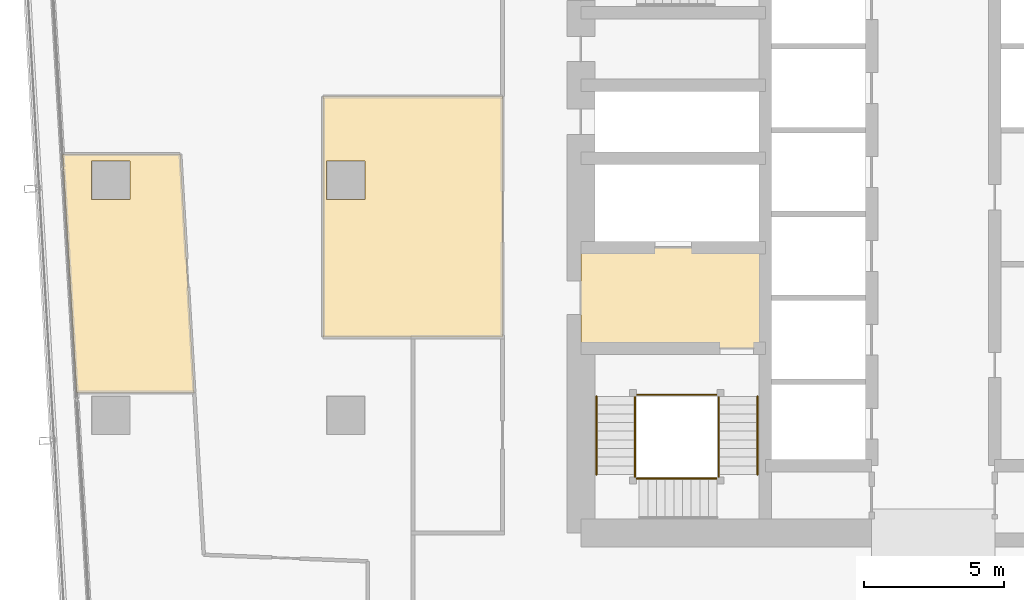
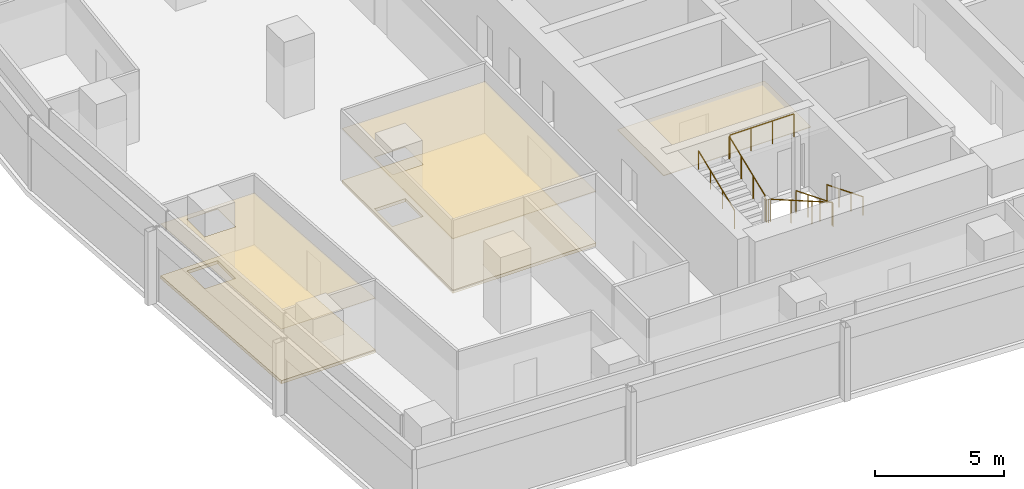
# One storey, part 28 of 33: 9 railings, 5 coverings.
"""IFC4 building model written with IfcOpenShell, lengths in metres."""

from ifc_helpers import new_model, si_unit, direction, frame, origin, origin_2d, place, context, subcontext, project, spatial, polyline, circle, outline, extrude, material, layer, layer_set, type_object, element, save


model = new_model("IFC4")

# Units and contexts
model_context = context("Model", 3, precision=1e-05, world=origin(), true_north=direction((0.0, 1.0)))
body_context = subcontext(model_context, "Body", "Model", "MODEL_VIEW")
ifc_project = project(units=[si_unit("LENGTHUNIT", "METRE"), si_unit("AREAUNIT", "SQUARE_METRE"), si_unit("VOLUMEUNIT", "CUBIC_METRE"), si_unit("PLANEANGLEUNIT", "RADIAN"), si_unit("MASSUNIT", "GRAM", prefix="KILO")], contexts=[model_context])

# Site, building, storey
site_placement = place(None, origin())
site = spatial("IfcSite", under=ifc_project, at=site_placement, CompositionType="ELEMENT")
building_placement = place(site_placement, origin())
building = spatial("IfcBuilding", under=site, at=building_placement, Name="Rekha Terrace Tower", CompositionType="ELEMENT")
storey_placement = place(building_placement, frame((0.0, 0.0, 206.449951171875)))
storey = spatial("IfcBuildingStorey", under=building, at=storey_placement, Name="L52", CompositionType="ELEMENT", Elevation=206.449951171875)

# Coverings
ifc_material_1 = material(Name="Mineral fibre tile in exposed grid", Category="finish")
ifc_layer_1 = layer(ifc_material_1, 0.02001953125)
ifc_layer_set_1 = layer_set([ifc_layer_1], Name="Mineral fibre tile in exposed grid")
covering_type_1 = type_object("IfcCoveringType", Name="CL1 600x1200 office grid ceiling", PredefinedType="CEILING", material=ifc_layer_set_1)
covering_1_placement = place(storey_placement, frame((0.0, 0.0, 2.580078125)))
element("IfcCovering", 1, at=covering_1_placement, inside=storey, type_object=covering_type_1, Name="Ceiling L52-09", PredefinedType="CEILING", context=body_context, shape_type="SweptSolid", body=[
    extrude(outline(polyline([(10.8779296875, 34.535888671875), (6.6708984375, 34.535888671875), (7.172119140625, 26.02392578125), (11.37890625, 26.02392578125), (10.8779296875, 34.535888671875)]), holes=[polyline([(9.090087890625, 34.2900390625), (9.090087890625, 32.909912109375), (7.7099609375, 32.909912109375), (7.7099609375, 34.2900390625), (9.090087890625, 34.2900390625)])]), origin(), (0.0, 0.0, 1.0), 0.02001953125),
])
covering_2_placement = place(storey_placement, frame((0.0, 0.0, 2.580078125)))
element("IfcCovering", 2, at=covering_2_placement, inside=storey, type_object=covering_type_1, Name="Ceiling L52-12", PredefinedType="CEILING", context=body_context, shape_type="SweptSolid", body=[
    extrude(outline(polyline([(22.39990234375, 36.59912109375), (15.989013671875, 36.59912109375), (15.989013671875, 28.0), (22.39990234375, 28.0), (22.39990234375, 36.59912109375)]), holes=[polyline([(17.489990234375, 32.909912109375), (16.110107421875, 32.909912109375), (16.110107421875, 34.2900390625), (17.489990234375, 34.2900390625), (17.489990234375, 32.909912109375)])]), origin(), (0.0, 0.0, 1.0), 0.02001953125),
])
ifc_material_2 = material(Name="Powder-coated aluminium pan", Category="aluminium")
ifc_layer_2 = layer(ifc_material_2, 0.030029296875)
ifc_layer_set_2 = layer_set([ifc_layer_2], Name="Powder-coated aluminium pan")
covering_type_2 = type_object("IfcCoveringType", Name="CL3 300x1200 metal pan ceiling", PredefinedType="CEILING", material=ifc_layer_set_2)
covering_3_placement = place(storey_placement, frame((0.0, 0.0, 2.570068359375)))
element("IfcCovering", 3, at=covering_3_placement, inside=storey, type_object=covering_type_2, Name="Ceiling L52-FLB1", PredefinedType="CEILING", context=body_context, shape_type="SweptSolid", body=[
    extrude(outline(polyline([(31.800048828125, 31.199951171875), (25.199951171875, 31.199951171875), (25.199951171875, 27.60009765625), (31.800048828125, 27.60009765625), (31.800048828125, 31.199951171875)])), origin(), (0.0, 0.0, 1.0), 0.030029296875),
])

# Railings
ifc_material_3 = material(Name="Stainless steel balustrade", Category="steel")
railing_type_1 = type_object("IfcRailingType", Name="GR1 1100 stair guard", PredefinedType="GUARDRAIL", material=ifc_material_3)
railing_1_placement = place(storey_placement, frame((30.135009765625, 25.875, 0.125)))
element("IfcRailing", 4, at=railing_1_placement, inside=storey, type_object=railing_type_1, Name="Guard ST1 L52 flight 1", PredefinedType="GUARDRAIL", context=body_context, shape_type="SweptSolid", body=[
    extrude(circle(Radius=0.02392578125, at=origin_2d()), frame((0.0, 0.0, 1.076171875), z_axis=(0.0, -0.927443287984, 0.373963831907), x_axis=(1.0, 0.0, 0.0)), (0.0, 0.0, 1.0), 3.00830078125),
    extrude(circle(Radius=0.02099609375, at=origin_2d()), origin(), (0.0, 0.0, 1.0), 1.052001953125),
    extrude(circle(Radius=0.02099609375, at=origin_2d()), frame((0.0, -0.929931640625, 0.375)), (0.0, 0.0, 1.0), 1.052001953125),
    extrude(circle(Radius=0.02099609375, at=origin_2d()), frame((0.0, -1.860107421875, 0.75)), (0.0, 0.0, 1.0), 1.052001953125),
    extrude(circle(Radius=0.02099609375, at=origin_2d()), frame((0.0, -2.7900390625, 1.125)), (0.0, 0.0, 1.0), 1.052001953125),
])
railing_2_placement = place(storey_placement, frame((30.074951171875, 22.93994140625, 1.375)))
element("IfcRailing", 5, at=railing_2_placement, inside=storey, type_object=railing_type_1, Name="Guard ST1 L52 flight 2", PredefinedType="GUARDRAIL", context=body_context, shape_type="SweptSolid", body=[
    extrude(circle(Radius=0.02392578125, at=origin_2d()), frame((0.0, 0.0, 1.076171875), z_axis=(-0.927443287984, 0.0, 0.373963831907), x_axis=(0.0, -1.0, 0.0)), (0.0, 0.0, 1.0), 3.00830078125),
    extrude(circle(Radius=0.02099609375, at=origin_2d()), origin(), (0.0, 0.0, 1.0), 1.052001953125),
    extrude(circle(Radius=0.02099609375, at=origin_2d()), frame((-0.929931640625, 0.0, 0.375)), (0.0, 0.0, 1.0), 1.052001953125),
    extrude(circle(Radius=0.02099609375, at=origin_2d()), frame((-1.860107421875, 0.0, 0.75)), (0.0, 0.0, 1.0), 1.052001953125),
    extrude(circle(Radius=0.02099609375, at=origin_2d()), frame((-2.7900390625, 0.0, 1.125)), (0.0, 0.0, 1.0), 1.052001953125),
])
railing_3_placement = place(storey_placement, frame((27.139892578125, 23.0849609375, 2.625)))
element("IfcRailing", 6, at=railing_3_placement, inside=storey, type_object=railing_type_1, Name="Guard ST1 L52 flight 3", PredefinedType="GUARDRAIL", context=body_context, shape_type="SweptSolid", body=[
    extrude(circle(Radius=0.02392578125, at=origin_2d()), frame((0.0, 0.0, 1.076171875), z_axis=(0.0, 0.927443287984, 0.373963831907), x_axis=(-1.0, 0.0, 0.0)), (0.0, 0.0, 1.0), 3.00830078125),
    extrude(circle(Radius=0.02099609375, at=origin_2d()), origin(), (0.0, 0.0, 1.0), 1.052001953125),
    extrude(circle(Radius=0.02099609375, at=origin_2d()), frame((0.0, 0.929931640625, 0.375)), (0.0, 0.0, 1.0), 1.052001953125),
    extrude(circle(Radius=0.02099609375, at=origin_2d()), frame((0.0, 1.860107421875, 0.75)), (0.0, 0.0, 1.0), 1.052001953125),
    extrude(circle(Radius=0.02099609375, at=origin_2d()), frame((0.0, 2.7900390625, 1.125)), (0.0, 0.0, 1.0), 1.052001953125),
])
railing_4_placement = place(storey_placement, frame((30.135009765625, 23.0849609375, 1.25)))
element("IfcRailing", 7, at=railing_4_placement, inside=storey, type_object=railing_type_1, Name="Guard ST1 L52 landing 1", PredefinedType="GUARDRAIL", context=body_context, shape_type="SweptSolid", body=[
    extrude(circle(Radius=0.02392578125, at=origin_2d()), frame((0.0, 0.0, 1.076171875), z_axis=(0.0, -1.0, 0.0), x_axis=(1.0, 0.0, 0.0)), (0.0, 0.0, 1.0), 0.0849609375),
    extrude(circle(Radius=0.02099609375, at=origin_2d()), origin(), (0.0, 0.0, 1.0), 1.052001953125),
    extrude(circle(Radius=0.02099609375, at=origin_2d()), frame((0.0, -0.0849609375, 0.0)), (0.0, 0.0, 1.0), 1.052001953125),
])
railing_5_placement = place(storey_placement, frame((27.284912109375, 22.93994140625, 2.5)))
element("IfcRailing", 8, at=railing_5_placement, inside=storey, type_object=railing_type_1, Name="Guard ST1 L52 landing 2", PredefinedType="GUARDRAIL", context=body_context, shape_type="SweptSolid", body=[
    extrude(circle(Radius=0.02392578125, at=origin_2d()), frame((0.0, 0.0, 1.076171875), z_axis=(-1.0, 0.0, 0.0), x_axis=(0.0, -1.0, 0.0)), (0.0, 0.0, 1.0), 0.0849609375),
    extrude(circle(Radius=0.02099609375, at=origin_2d()), origin(), (0.0, 0.0, 1.0), 1.052001953125),
    extrude(circle(Radius=0.02099609375, at=origin_2d()), frame((-0.0849609375, 0.0, 0.0)), (0.0, 0.0, 1.0), 1.052001953125),
])
railing_6_placement = place(storey_placement, frame((27.139892578125, 23.0849609375, 2.5)))
element("IfcRailing", 9, at=railing_6_placement, inside=storey, type_object=railing_type_1, Name="Guard ST1 L52 landing 3", PredefinedType="GUARDRAIL", context=body_context, shape_type="SweptSolid", body=[
    extrude(circle(Radius=0.02392578125, at=origin_2d()), frame((0.0, 0.0, 1.076171875), z_axis=(0.0, -1.0, 0.0), x_axis=(1.0, 0.0, 0.0)), (0.0, 0.0, 1.0), 0.0849609375),
    extrude(circle(Radius=0.02099609375, at=origin_2d()), origin(), (0.0, 0.0, 1.0), 1.052001953125),
    extrude(circle(Radius=0.02099609375, at=origin_2d()), frame((0.0, -0.0849609375, 0.0)), (0.0, 0.0, 1.0), 1.052001953125),
])
railing_7_placement = place(storey_placement, frame((30.074951171875, 25.93505859375, 3.75)))
element("IfcRailing", 10, at=railing_7_placement, inside=storey, type_object=railing_type_1, Name="Guard ST1 L52 landing 4", PredefinedType="GUARDRAIL", context=body_context, shape_type="SweptSolid", body=[
    extrude(circle(Radius=0.02392578125, at=origin_2d()), frame((0.0, 0.0, 1.076171875), z_axis=(-1.0, 0.0, 0.0), x_axis=(0.0, -1.0, 0.0)), (0.0, 0.0, 1.0), 2.875),
    extrude(circle(Radius=0.02099609375, at=origin_2d()), origin(), (0.0, 0.0, 1.0), 1.052001953125),
    extrude(circle(Radius=0.02099609375, at=origin_2d()), frame((-0.958251953125, 0.0, 0.0)), (0.0, 0.0, 1.0), 1.052001953125),
    extrude(circle(Radius=0.02099609375, at=origin_2d()), frame((-1.916748046875, 0.0, 0.0)), (0.0, 0.0, 1.0), 1.052001953125),
    extrude(circle(Radius=0.02099609375, at=origin_2d()), frame((-2.875, 0.0, 0.0)), (0.0, 0.0, 1.0), 1.052001953125),
])
ifc_material_4 = material(Name="Stainless steel tube", Category="steel")
railing_type_2 = type_object("IfcRailingType", Name="HR1 900 stair handrail", PredefinedType="HANDRAIL", material=ifc_material_4)
railing_8_placement = place(storey_placement, frame((31.514892578125, 25.875, 0.125)))
element("IfcRailing", 11, at=railing_8_placement, inside=storey, type_object=railing_type_2, Name="Handrail ST1 L52 flight 1", PredefinedType="HANDRAIL", context=body_context, shape_type="SweptSolid", body=[
    extrude(circle(Radius=0.02392578125, at=origin_2d()), frame((0.0, 0.0, 0.8759765625), z_axis=(0.0, -0.927443287984, 0.373963831907), x_axis=(1.0, 0.0, 0.0)), (0.0, 0.0, 1.0), 3.00830078125),
    extrude(circle(Radius=0.02099609375, at=origin_2d()), origin(), (0.0, 0.0, 1.0), 0.851806640625),
    extrude(circle(Radius=0.02099609375, at=origin_2d()), frame((0.0, -0.929931640625, 0.375)), (0.0, 0.0, 1.0), 0.851806640625),
    extrude(circle(Radius=0.02099609375, at=origin_2d()), frame((0.0, -1.860107421875, 0.75)), (0.0, 0.0, 1.0), 0.851806640625),
    extrude(circle(Radius=0.02099609375, at=origin_2d()), frame((0.0, -2.7900390625, 1.125)), (0.0, 0.0, 1.0), 0.851806640625),
])
railing_9_placement = place(storey_placement, frame((25.760009765625, 23.0849609375, 2.625)))
element("IfcRailing", 12, at=railing_9_placement, inside=storey, type_object=railing_type_2, Name="Handrail ST1 L52 flight 3", PredefinedType="HANDRAIL", context=body_context, shape_type="SweptSolid", body=[
    extrude(circle(Radius=0.02392578125, at=origin_2d()), frame((0.0, 0.0, 0.8759765625), z_axis=(0.0, 0.927443287984, 0.373963831907), x_axis=(-1.0, 0.0, 0.0)), (0.0, 0.0, 1.0), 3.00830078125),
    extrude(circle(Radius=0.02099609375, at=origin_2d()), origin(), (0.0, 0.0, 1.0), 0.851806640625),
    extrude(circle(Radius=0.02099609375, at=origin_2d()), frame((0.0, 0.929931640625, 0.375)), (0.0, 0.0, 1.0), 0.851806640625),
    extrude(circle(Radius=0.02099609375, at=origin_2d()), frame((0.0, 1.860107421875, 0.75)), (0.0, 0.0, 1.0), 0.851806640625),
    extrude(circle(Radius=0.02099609375, at=origin_2d()), frame((0.0, 2.7900390625, 1.125)), (0.0, 0.0, 1.0), 0.851806640625),
])

# Coverings
ifc_material_5 = material(Name="Calcium sulphate panels on steel pedestals", Category="steel")
ifc_layer_3 = layer(ifc_material_5, 0.14990234375)
ifc_layer_set_3 = layer_set([ifc_layer_3], Name="Calcium sulphate panels on steel pedestals")
covering_type_3 = type_object("IfcCoveringType", Name="RF1 150 raised access floor", PredefinedType="FLOORING", material=ifc_layer_set_3)
covering_4_placement = place(storey_placement, origin())
element("IfcCovering", 13, at=covering_4_placement, inside=storey, type_object=covering_type_3, Name="Raised floor L52-09", PredefinedType="FLOORING", context=body_context, shape_type="SweptSolid", body=[
    extrude(outline(polyline([(10.8779296875, 34.535888671875), (6.6708984375, 34.535888671875), (7.172119140625, 26.02392578125), (11.37890625, 26.02392578125), (10.8779296875, 34.535888671875)]), holes=[polyline([(9.090087890625, 34.2900390625), (9.090087890625, 32.909912109375), (7.7099609375, 32.909912109375), (7.7099609375, 34.2900390625), (9.090087890625, 34.2900390625)])]), origin(), (0.0, 0.0, 1.0), 0.150146484375),
])
covering_5_placement = place(storey_placement, origin())
element("IfcCovering", 14, at=covering_5_placement, inside=storey, type_object=covering_type_3, Name="Raised floor L52-12", PredefinedType="FLOORING", context=body_context, shape_type="SweptSolid", body=[
    extrude(outline(polyline([(22.39990234375, 36.59912109375), (15.989013671875, 36.59912109375), (15.989013671875, 28.0), (22.39990234375, 28.0), (22.39990234375, 36.59912109375)]), holes=[polyline([(17.489990234375, 32.909912109375), (16.110107421875, 32.909912109375), (16.110107421875, 34.2900390625), (17.489990234375, 34.2900390625), (17.489990234375, 32.909912109375)])]), origin(), (0.0, 0.0, 1.0), 0.150146484375),
])

save(model, "model.ifc")
